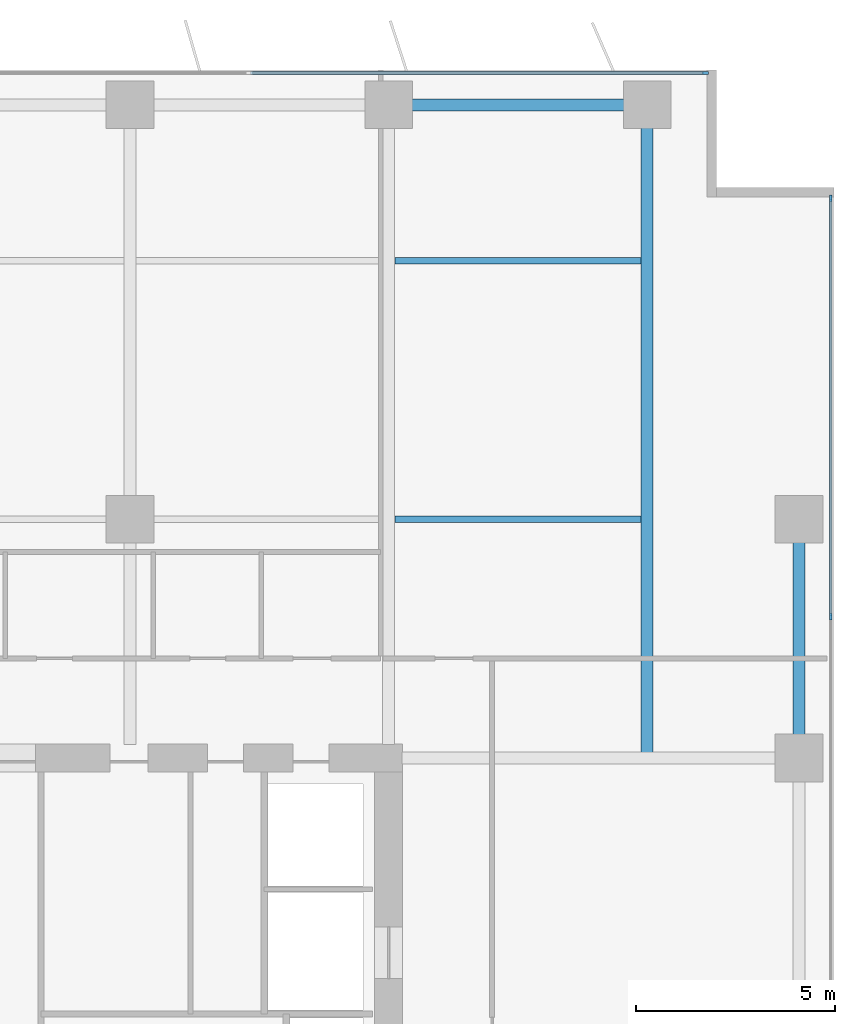
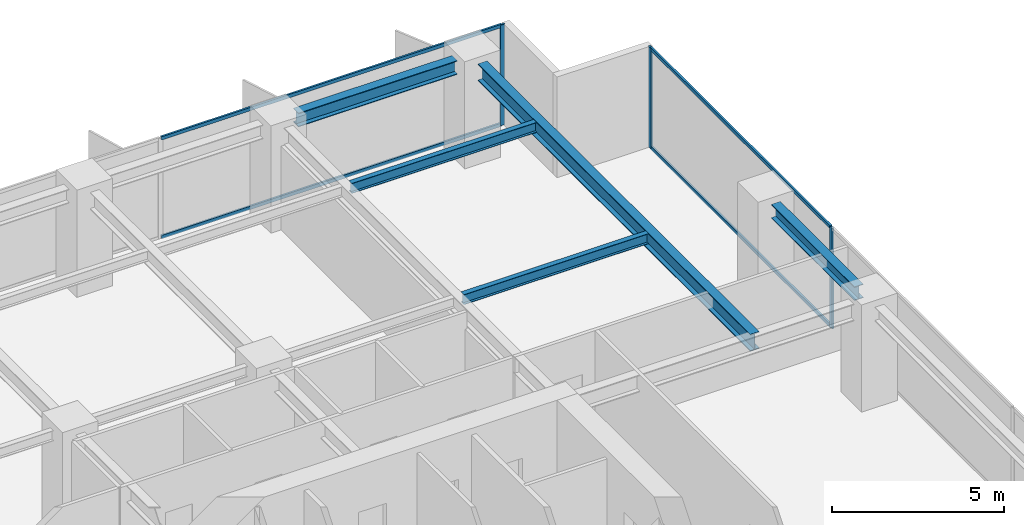
# One storey, part 11 of 20: 7 members, 5 beams, 2 elements without a shape of their own.
"""IFC4 building model written with IfcOpenShell, lengths in metres."""

from ifc_helpers import new_model, si_unit, direction, frame, origin, origin_2d, place, context, subcontext, project, spatial, rectangle, i_section, extrude, material, layer, layer_set, material_profile, profile_set, type_object, element, aggregate, save


model = new_model("IFC4")

# Units and contexts
model_context = context("Model", 3, precision=1e-05, world=origin(), true_north=direction((0.0, 1.0)))
body_context = subcontext(model_context, "Body", "Model", "MODEL_VIEW")
ifc_project = project(units=[si_unit("LENGTHUNIT", "METRE"), si_unit("AREAUNIT", "SQUARE_METRE"), si_unit("VOLUMEUNIT", "CUBIC_METRE"), si_unit("PLANEANGLEUNIT", "RADIAN"), si_unit("MASSUNIT", "GRAM", prefix="KILO")], contexts=[model_context])

# Site, building, storey
site_placement = place(None, origin())
site = spatial("IfcSite", under=ifc_project, at=site_placement, CompositionType="ELEMENT")
building_placement = place(site_placement, origin())
building = spatial("IfcBuilding", under=site, at=building_placement, Name="Putna Gate Headquarters", CompositionType="ELEMENT")
storey_placement = place(building_placement, frame((0.0, 0.0, 89.800048828125)))
storey = spatial("IfcBuildingStorey", under=building, at=storey_placement, Name="L21", CompositionType="ELEMENT", Elevation=89.800048828125)

# Beams
ifc_material_1 = material(Name="Steel S355J2", Category="steel")
ifc_material_profile_1 = material_profile(ifc_material_1, i_section(OverallWidth=0.300048828125, OverallDepth=0.60009765625, WebThickness=0.015380859375, FlangeThickness=0.030029296875, at=origin_2d()), Name="Steel S355J2")
ifc_profile_set_1 = profile_set([ifc_material_profile_1], Name="Steel S355J2")
beam_type_1 = type_object("IfcBeamType", Name="BM-GIRD-Z2-HEB600", PredefinedType="USERDEFINED", material=ifc_profile_set_1)
beam_1_placement = place(storey_placement, frame((71.5, 33.011962890625, 3.264892578125), z_axis=(0.0, 1.0, 0.0), x_axis=(-1.0, 0.0, 0.0)))
element("IfcBeam", 1, at=beam_1_placement, inside=storey, type_object=beam_type_1, Name="L21 North Primary Girder X71", ObjectType="GIRDER", PredefinedType="USERDEFINED", context=body_context, shape_type="SweptSolid", body=[
    extrude(i_section(OverallWidth=0.300048828125, OverallDepth=0.60009765625, WebThickness=0.015380859375, FlangeThickness=0.030029296875, at=origin_2d()), origin(), (0.0, 0.0, 1.0), 15.820068359375),
])
ifc_material_profile_2 = material_profile(ifc_material_1, i_section(OverallWidth=0.169921875, OverallDepth=0.360107421875, WebThickness=0.008056640625, FlangeThickness=0.0126953125, at=origin_2d()), Name="Steel S355J2")
ifc_profile_set_2 = profile_set([ifc_material_profile_2], Name="Steel S355J2")
beam_type_2 = type_object("IfcBeamType", Name="BM-SEC-Z2-IPE360", PredefinedType="BEAM", material=ifc_profile_set_2)
for number, where, z_axis, x_axis, name in (
    (2, (65.154052734375, 39.0, 3.385009765625), (1.0, 0.0, 0.0), (0.0, 1.0, 0.0), "L21 North Secondary Beam 10"),
    (3, (65.154052734375, 45.5, 3.385009765625), (1.0, 0.0, 0.0), (0.0, 1.0, 0.0), "L21 North Secondary Beam 10"),
):
    element("IfcBeam", number, at=place(storey_placement, frame(where, z_axis=z_axis, x_axis=x_axis)), inside=storey, type_object=beam_type_2, Name=name, PredefinedType="BEAM", context=body_context, shape_type="SweptSolid", body=[
        extrude(i_section(OverallWidth=0.169921875, OverallDepth=0.360107421875, WebThickness=0.008056640625, FlangeThickness=0.0126953125, at=origin_2d()), origin(), (0.0, 0.0, 1.0), 6.19189453125),
    ])
ifc_material_profile_3 = material_profile(ifc_material_1, i_section(OverallWidth=0.300048828125, OverallDepth=0.489990234375, WebThickness=0.011962890625, FlangeThickness=0.02294921875, at=origin_2d()), Name="Steel S355J2")
ifc_profile_set_3 = profile_set([ifc_material_profile_3], Name="Steel S355J2")
beam_type_3 = type_object("IfcBeamType", Name="BM-SPAN-Z2-HEA500", PredefinedType="SPANDREL", material=ifc_profile_set_3)
beam_2_placement = place(storey_placement, frame((65.587890625, 49.419921875, 3.320068359375), z_axis=(1.0, 0.0, 0.0), x_axis=(0.0, 1.0, 0.0)))
element("IfcBeam", 4, at=beam_2_placement, inside=storey, type_object=beam_type_3, Name="L21 N Perimeter Spandrel 10", PredefinedType="SPANDREL", context=body_context, shape_type="SweptSolid", body=[
    extrude(i_section(OverallWidth=0.300048828125, OverallDepth=0.489990234375, WebThickness=0.011962890625, FlangeThickness=0.02294921875, at=origin_2d()), origin(), (0.0, 0.0, 1.0), 5.32421875),
])
beam_3_placement = place(storey_placement, frame((75.320068359375, 33.587890625, 3.320068359375), z_axis=(0.0, 1.0, 0.0), x_axis=(-1.0, 0.0, 0.0)))
element("IfcBeam", 5, at=beam_3_placement, inside=storey, type_object=beam_type_3, Name="L21 E End Spandrel 3", PredefinedType="SPANDREL", context=body_context, shape_type="SweptSolid", body=[
    extrude(i_section(OverallWidth=0.300048828125, OverallDepth=0.489990234375, WebThickness=0.011962890625, FlangeThickness=0.02294921875, at=origin_2d()), origin(), (0.0, 0.0, 1.0), 4.82421875),
])

# Curtain wall, member
ifc_material_2 = material(Name="Anodised bronze aluminium curtain wall", Category="aluminium")
ifc_layer = layer(ifc_material_2, 0.159912109375)
ifc_layer_set = layer_set([ifc_layer], Name="Anodised bronze aluminium curtain wall")
curtain_wall_type = type_object("IfcCurtainWallType", Name="CW-SYS-Z2", PredefinedType="USERDEFINED", material=ifc_layer_set)
curtain_wall_1_placement = place(storey_placement, origin())
curtain_wall_1 = element("IfcCurtainWall", 6, at=curtain_wall_1_placement, inside=storey, type_object=curtain_wall_type, Name="L21 North East Curtain Wall", ObjectType="STICK CURTAIN WALL", PredefinedType="USERDEFINED")
ifc_material_3 = material(Name="Anodised bronze aluminium EN AW-6060", Category="aluminium")
ifc_material_profile_4 = material_profile(ifc_material_3, rectangle(XDim=0.06494140625, YDim=0.159912109375, at=origin_2d()), Name="Anodised bronze aluminium EN AW-6060")
ifc_profile_set_4 = profile_set([ifc_material_profile_4], Name="Anodised bronze aluminium EN AW-6060")
member_type_1 = type_object("IfcMemberType", Name="MULL-CWM-2", PredefinedType="MULLION", material=ifc_profile_set_4)
member_1_placement = place(storey_placement, frame((72.967529296875, 50.219970703125, 0.0), z_axis=(0.0, 0.0, 1.0), x_axis=(0.0, 1.0, 0.0)))
member_1 = element("IfcMember", 7, at=member_1_placement, type_object=member_type_1, Name="CWS-2 mullion 3", PredefinedType="MULLION", context=body_context, shape_type="SweptSolid", body=[
    extrude(rectangle(XDim=0.06494140625, YDim=0.159912109375, at=origin_2d()), origin(), (0.0, 0.0, 1.0), 3.56494140625),
])

# Curtain wall, members
curtain_wall_2_placement = place(storey_placement, origin())
curtain_wall_2 = element("IfcCurtainWall", 8, at=curtain_wall_2_placement, inside=storey, type_object=curtain_wall_type, Name="L21 East Curtain Wall", ObjectType="STICK CURTAIN WALL", PredefinedType="USERDEFINED")
member_2_placement = place(storey_placement, frame((76.1201171875, 36.550048828125, 0.0), z_axis=(0.0, 0.0, 1.0), x_axis=(-1.0, 0.0, 0.0)))
member_2 = element("IfcMember", 9, at=member_2_placement, type_object=member_type_1, Name="CWS-2 mullion 4", PredefinedType="MULLION", context=body_context, shape_type="SweptSolid", body=[
    extrude(rectangle(XDim=0.06494140625, YDim=0.159912109375, at=origin_2d()), origin(), (0.0, 0.0, 1.0), 3.56494140625),
])
member_3_placement = place(storey_placement, frame((76.1201171875, 47.0673828125, 0.0), z_axis=(0.0, 0.0, 1.0), x_axis=(-1.0, 0.0, 0.0)))
member_3 = element("IfcMember", 10, at=member_3_placement, type_object=member_type_1, Name="CWS-2 mullion 5", PredefinedType="MULLION", context=body_context, shape_type="SweptSolid", body=[
    extrude(rectangle(XDim=0.06494140625, YDim=0.159912109375, at=origin_2d()), origin(), (0.0, 0.0, 1.0), 3.56494140625),
])

# Member
ifc_material_profile_5 = material_profile(ifc_material_3, rectangle(XDim=0.06494140625, YDim=0.1201171875, at=origin_2d()), Name="Anodised bronze aluminium EN AW-6060")
ifc_profile_set_5 = profile_set([ifc_material_profile_5], Name="Anodised bronze aluminium EN AW-6060")
member_type_2 = type_object("IfcMemberType", Name="TRAN-CWT-2", PredefinedType="USERDEFINED", material=ifc_profile_set_5)
member_4_placement = place(storey_placement, frame((61.532470703125, 50.219970703125, 0.032470703125), z_axis=(1.0, 0.0, 0.0), x_axis=(0.0, 1.0, 0.0)))
member_4 = element("IfcMember", 11, at=member_4_placement, type_object=member_type_2, Name="CWS-2 transom 2.1", ObjectType="TRANSOM", PredefinedType="USERDEFINED", context=body_context, shape_type="SweptSolid", body=[
    extrude(rectangle(XDim=0.06494140625, YDim=0.1201171875, at=origin_2d()), origin(), (0.0, 0.0, 1.0), 11.402587890625),
])

member_5_placement = place(storey_placement, frame((61.532470703125, 50.219970703125, 3.532470703125), z_axis=(1.0, 0.0, 0.0), x_axis=(0.0, 1.0, 0.0)))
member_5 = element("IfcMember", 12, at=member_5_placement, type_object=member_type_2, Name="CWS-2 transom 2.2", ObjectType="TRANSOM", PredefinedType="USERDEFINED", context=body_context, shape_type="SweptSolid", body=[
    extrude(rectangle(XDim=0.06494140625, YDim=0.1201171875, at=origin_2d()), origin(), (0.0, 0.0, 1.0), 11.402587890625),
])

aggregate(curtain_wall_1, [member_1, member_4, member_5])

member_6_placement = place(storey_placement, frame((76.1201171875, 36.58251953125, 0.032470703125), z_axis=(0.0, 1.0, 0.0), x_axis=(-1.0, 0.0, 0.0)))
member_6 = element("IfcMember", 13, at=member_6_placement, type_object=member_type_2, Name="CWS-2 transom 4.1", ObjectType="TRANSOM", PredefinedType="USERDEFINED", context=body_context, shape_type="SweptSolid", body=[
    extrude(rectangle(XDim=0.06494140625, YDim=0.1201171875, at=origin_2d()), origin(), (0.0, 0.0, 1.0), 10.452392578125),
])

member_7_placement = place(storey_placement, frame((76.1201171875, 36.58251953125, 3.532470703125), z_axis=(0.0, 1.0, 0.0), x_axis=(-1.0, 0.0, 0.0)))
member_7 = element("IfcMember", 14, at=member_7_placement, type_object=member_type_2, Name="CWS-2 transom 4.2", ObjectType="TRANSOM", PredefinedType="USERDEFINED", context=body_context, shape_type="SweptSolid", body=[
    extrude(rectangle(XDim=0.06494140625, YDim=0.1201171875, at=origin_2d()), origin(), (0.0, 0.0, 1.0), 10.452392578125),
])

aggregate(curtain_wall_2, [member_2, member_3, member_6, member_7])

save(model, "model.ifc")
